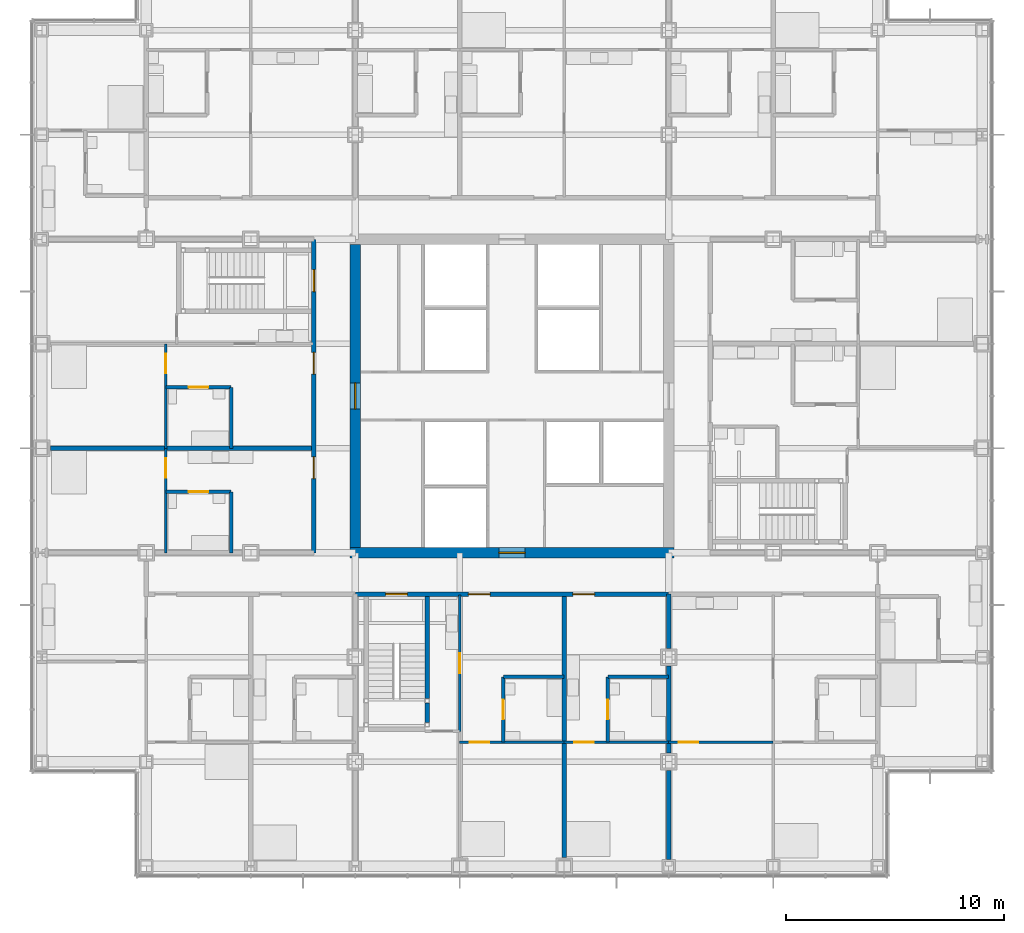
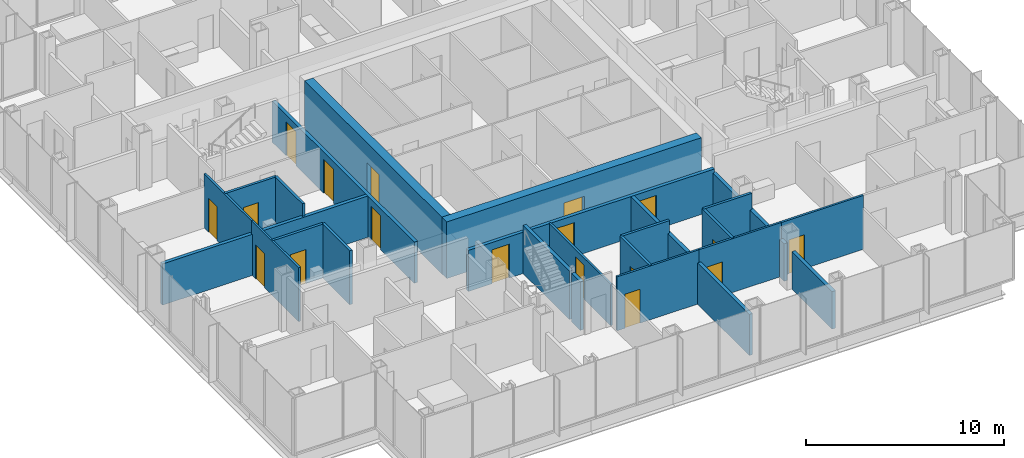
# One storey, part 14 of 21: 25 walls, 18 doors, 18 openings.
"""IFC4 building model written with IfcOpenShell, lengths in metres."""

import ifcopenshell
import ifcopenshell.guid

model = None  # the IFC model being written
_history = None  # IfcOwnerHistory: only IFC2X3 demands one
_inside = {}  # id of a spatial element -> (the spatial element, [elements in it])
_under = {}  # id of a project, library or spatial element -> (it, [spatial elements below it])
_declared = {}  # id of a project -> (the project, [libraries it declares])
_typed = {}  # id of a type object -> (the type object, [elements of that type])
_made_of = {}  # id of a material, layer set ... -> (it, [elements and type objects made of it])


def new_model(schema):
    """Start an empty IFC model of exactly this schema.

    Asked for "IFC4X3", IfcOpenShell would pick the latest addendum, in which some entities
    have other attributes; the version numbers below select the first issue.
    IFC2X3 requires an IfcOwnerHistory on every rooted entity: one is made here for all.
    """
    global model, _history
    if schema == "IFC4X3":
        model = ifcopenshell.file(schema_version=(4, 3, 0, 0))
    else:
        model = ifcopenshell.file(schema=schema)
    _inside.clear()
    _under.clear()
    _declared.clear()
    _typed.clear()
    _made_of.clear()
    _history = None
    if model.schema == "IFC2X3":
        org = make("IfcOrganization", Name="unknown")
        user = make(
            "IfcPersonAndOrganization",
            ThePerson=make("IfcPerson", FamilyName="unknown"),
            TheOrganization=org,
        )
        app = make(
            "IfcApplication",
            ApplicationDeveloper=org,
            Version="unknown",
            ApplicationFullName="unknown",
            ApplicationIdentifier="unknown",
        )
        _history = make(
            "IfcOwnerHistory",
            OwningUser=user,
            OwningApplication=app,
            ChangeAction="ADDED",
            CreationDate=0,
        )
    return model


def make(cls, **values):
    """One entity of the class cls with the attributes given. An attribute that is None is left unset."""
    return model.create_entity(
        cls, **{name: value for name, value in values.items() if value is not None}
    )


def rooted(cls, **values):
    """An entity with a GlobalId (a new one), such as an element, a storey or a relation."""
    return make(cls, GlobalId=ifcopenshell.guid.new(), OwnerHistory=_history, **values)


def si_unit(unit_type, name, prefix=None):
    """IfcSIUnit, for example si_unit("LENGTHUNIT", "METRE", prefix="MILLI")."""
    return make("IfcSIUnit", UnitType=unit_type, Prefix=prefix, Name=name)


def assignment(units):
    """IfcUnitAssignment: the units of a project."""
    return None if units is None else make("IfcUnitAssignment", Units=units)


def point(xyz):
    """IfcCartesianPoint."""
    return None if xyz is None else make("IfcCartesianPoint", Coordinates=xyz)


def direction(xyz):
    """IfcDirection."""
    return None if xyz is None else make("IfcDirection", DirectionRatios=xyz)


def frame(location, z_axis=None, x_axis=None):
    """IfcAxis2Placement3D, a coordinate frame: its origin and axes. An axis left out is left unset."""
    return make(
        "IfcAxis2Placement3D",
        Location=point(location),
        Axis=direction(z_axis),
        RefDirection=direction(x_axis),
    )


def frame_2d(location, x_axis=None):
    """IfcAxis2Placement2D, a coordinate frame in the plane: its origin and x axis."""
    return make(
        "IfcAxis2Placement2D", Location=point(location), RefDirection=direction(x_axis)
    )


def origin():
    """The frame at (0, 0, 0) with its axes left unset."""
    return frame((0.0, 0.0, 0.0))


def place(relative_to, where):
    """IfcLocalPlacement: puts the frame where relative to a parent placement (None: the world)."""
    return make(
        "IfcLocalPlacement", PlacementRelTo=relative_to, RelativePlacement=where
    )


def context(
    kind, dimensions, precision=None, world=None, true_north=None, identifier=None
):
    """IfcGeometricRepresentationContext, for example the 3D "Model" context."""
    return make(
        "IfcGeometricRepresentationContext",
        ContextIdentifier=identifier,
        ContextType=kind,
        CoordinateSpaceDimension=dimensions,
        Precision=precision,
        WorldCoordinateSystem=world,
        TrueNorth=true_north,
    )


def subcontext(parent, identifier, kind, view, scale=None):
    """IfcGeometricRepresentationSubContext, for example "Body" below "Model"."""
    return make(
        "IfcGeometricRepresentationSubContext",
        ContextIdentifier=identifier,
        ContextType=kind,
        ParentContext=parent,
        TargetScale=scale,
        TargetView=view,
    )


def project(units=None, contexts=None):
    """IfcProject with its units and contexts."""
    return rooted(
        "IfcProject",
        Name="project",
        RepresentationContexts=contexts,
        UnitsInContext=assignment(units),
    )


def spatial(cls, under=None, at=None, **own):
    """A site, building, storey or space (cls), placed at a placement, below another one or the project."""
    s = rooted(cls, ObjectPlacement=at, **own)
    if under is not None:
        _under.setdefault(under.id(), (under, []))[1].append(s)
    return s


def profile(cls, at=None, kind="AREA", **sizes):
    """A parametric profile (cls). Its sizes go by their IFC names, for example OverallWidth=200.0."""
    return make(cls, ProfileType=kind, Position=at, **sizes)


def rectangle(**sizes):
    """IfcRectangleProfileDef."""
    return profile("IfcRectangleProfileDef", **sizes)


def extrude(swept, where, along, depth):
    """IfcExtrudedAreaSolid: the profile swept, set in the frame where, extruded along a direction by depth."""
    return make(
        "IfcExtrudedAreaSolid",
        SweptArea=swept,
        Position=where,
        ExtrudedDirection=direction(along),
        Depth=depth,
    )


def shape(context_of_items, identifier, shape_type, items):
    """IfcShapeRepresentation: the items that make up one representation, for example the "Body"."""
    return make(
        "IfcShapeRepresentation",
        ContextOfItems=context_of_items,
        RepresentationIdentifier=identifier,
        RepresentationType=shape_type,
        Items=items,
    )


def material(Name=None, Category=None):
    """IfcMaterial."""
    return make("IfcMaterial", Name=Name, Category=Category)


def layer(
    of_material, thickness, ventilated=None, Name=None, Category=None, Priority=None
):
    """IfcMaterialLayer: one layer of a wall or slab, of a material (None: an air gap)."""
    return make(
        "IfcMaterialLayer",
        Material=of_material,
        LayerThickness=thickness,
        IsVentilated=ventilated,
        Name=Name,
        Category=Category,
        Priority=Priority,
    )


def layer_set(layers, Name=None):
    """IfcMaterialLayerSet."""
    return make("IfcMaterialLayerSet", MaterialLayers=layers, LayerSetName=Name)


def made_of(thing, what):
    """Note that an element or type object is made of a material, layer set ...; save() writes the relation."""
    if what is not None:
        _made_of.setdefault(what.id(), (what, []))[1].append(thing)
    return thing


def type_object(cls, material=None, **own):
    """A type object (cls), such as IfcWallType, which elements share."""
    return made_of(rooted(cls, **own), material)


def element(
    cls,
    number,
    at=None,
    inside=None,
    cuts=None,
    type_object=None,
    material=None,
    context=None,
    identifier="Body",
    shape_type=None,
    held_by="IfcProductDefinitionShape",
    body=None,
    shapes=None,
    **own,
):
    """One element of the class cls, such as IfcWall. Its Tag is "e" and its number.

    at: its placement. inside: the storey or other place that contains it. cuts: it is an
    opening in that element (IfcRelVoidsElement). A single representation is given by context,
    identifier, shape_type and body (its items); several are given by shapes. held_by: the class
    of the entity that holds the representations. save() writes the other relations.
    """
    e = rooted(cls, Tag="e%d" % number, ObjectPlacement=at, **own)
    if body is not None:
        shapes = [shape(context, identifier, shape_type, body)]
    if shapes is not None:
        e.Representation = make(held_by, Representations=shapes)
    if inside is not None:
        _inside.setdefault(inside.id(), (inside, []))[1].append(e)
    if cuts is not None:
        rooted(
            "IfcRelVoidsElement", RelatingBuildingElement=cuts, RelatedOpeningElement=e
        )
    if type_object is not None:
        _typed.setdefault(type_object.id(), (type_object, []))[1].append(e)
    return made_of(e, material)


def fill(opening, filler):
    """IfcRelFillsElement: the door or window that sits in an opening."""
    return rooted(
        "IfcRelFillsElement",
        RelatingOpeningElement=opening,
        RelatedBuildingElement=filler,
    )


def aggregate(whole, parts):
    """IfcRelAggregates: a whole, such as a stair, and the parts it consists of."""
    return rooted("IfcRelAggregates", RelatingObject=whole, RelatedObjects=parts)


def save(model, path):
    """Write the relations noted so far, then the file.

    IfcRelAggregates (storeys below a building ...), IfcRelContainedInSpatialStructure (elements
    in a storey), IfcRelDefinesByType, IfcRelAssociatesMaterial and IfcRelDeclares: one each for
    every whole, place, type object, material and project.
    """
    for whole, parts in _under.values():
        aggregate(whole, parts)
    for where, things in _inside.values():
        rooted(
            "IfcRelContainedInSpatialStructure",
            RelatedElements=things,
            RelatingStructure=where,
        )
    for kind, things in _typed.values():
        rooted("IfcRelDefinesByType", RelatedObjects=things, RelatingType=kind)
    for what, things in _made_of.values():
        rooted("IfcRelAssociatesMaterial", RelatedObjects=things, RelatingMaterial=what)
    for by, libraries in _declared.values():
        rooted("IfcRelDeclares", RelatingContext=by, RelatedDefinitions=libraries)
    model.write(path)


model = new_model("IFC4")

# Units and contexts
model_context = context("Model", 3, precision=1e-05, world=origin(), true_north=direction((0.0, 1.0)))
body_context = subcontext(model_context, "Body", "Model", "MODEL_VIEW")
ifc_project = project(units=[si_unit("LENGTHUNIT", "METRE"), si_unit("AREAUNIT", "SQUARE_METRE"), si_unit("VOLUMEUNIT", "CUBIC_METRE"), si_unit("PLANEANGLEUNIT", "RADIAN"), si_unit("MASSUNIT", "GRAM", prefix="KILO")], contexts=[model_context])

# Site, building, storey
site_placement = place(None, origin())
site = spatial("IfcSite", under=ifc_project, at=site_placement, CompositionType="ELEMENT")
building_placement = place(site_placement, origin())
building = spatial("IfcBuilding", under=site, at=building_placement, Name="Kvirike Care Tower", CompositionType="ELEMENT")
storey_placement = place(building_placement, frame((0.0, 0.0, 30.5)))
storey = spatial("IfcBuildingStorey", under=building, at=storey_placement, Name="L07", CompositionType="ELEMENT", Elevation=30.5)

# Wall, opening, door
ifc_material_1 = material(Name="Moisture-resistant board partition", Category="gypsum")
ifc_layer_1 = layer(ifc_material_1, 0.14990234375)
ifc_layer_set_1 = layer_set([ifc_layer_1], Name="BATHROOM WALL 150")
wall_type_1 = type_object("IfcWallType", Name="BATHROOM WALL 150", PredefinedType="PARTITIONING", material=ifc_layer_set_1)
wall_1_placement = place(storey_placement, frame((5.699951171875, 36.39990234375, 0.0), z_axis=(0.0, 0.0, 1.0), x_axis=(1.0, 0.0, 0.0)))
wall_1 = element("IfcWall", 1, at=wall_1_placement, inside=storey, type_object=wall_type_1, Name="Bathroom Wall 150 L07", PredefinedType="PARTITIONING", context=body_context, shape_type="SweptSolid", body=[
    extrude(rectangle(XDim=3.0, YDim=0.14990234375, at=frame_2d((1.5, 0.0))), origin(), (0.0, 0.0, 1.0), 3.330078125),
])
opening_1_placement = place(wall_1_placement, frame((1.050048828125, 0.0, 0.0)))
opening_1 = element("IfcOpeningElement", 2, at=opening_1_placement, cuts=wall_1, Name="Opening 07-009", PredefinedType="OPENING", context=body_context, shape_type="SweptSolid", body=[
    extrude(rectangle(XDim=0.89990234375, YDim=2.10009765625, at=frame_2d((0.449951171875, 1.050048828125))), frame((0.0, 0.08544921875, 0.0), z_axis=(0.0, -1.0, 0.0), x_axis=(1.0, 0.0, 0.0)), (0.0, 0.0, 1.0), 0.1708984375),
])
ifc_material_2 = material(Name="Timber door set", Category="wood")
door_type_1 = type_object("IfcDoorType", Name="BATHROOM DOOR 900", OperationType="SINGLE_SWING_RIGHT", PredefinedType="DOOR", material=ifc_material_2)
door_1_placement = place(opening_1_placement, frame((0.89990234375, 0.0, 0.0), z_axis=(0.0, 0.0, 1.0), x_axis=(-1.0, 0.0, 0.0)))
door_1 = element("IfcDoor", 3, at=door_1_placement, inside=storey, type_object=door_type_1, Name="Bathroom door", OperationType="SINGLE_SWING_LEFT", OverallHeight=2.10009765625, OverallWidth=0.89990234375, PredefinedType="DOOR", context=body_context, shape_type="SweptSolid", body=[
    extrude(rectangle(XDim=0.89990234375, YDim=2.10009765625, at=frame_2d((0.449951171875, 1.050048828125))), frame((0.0, 0.02197265625, 0.0), z_axis=(0.0, -1.0, 0.0), x_axis=(1.0, 0.0, 0.0)), (0.0, 0.0, 1.0), 0.0439453125),
])
fill(opening_1, door_1)

# Wall
wall_2_placement = place(storey_placement, frame((8.699951171875, 36.39990234375, 0.0), z_axis=(0.0, 0.0, 1.0), x_axis=(0.0, -1.0, 0.0)))
element("IfcWall", 4, at=wall_2_placement, inside=storey, type_object=wall_type_1, Name="Bathroom Wall 150 L07", PredefinedType="PARTITIONING", context=body_context, shape_type="SweptSolid", body=[
    extrude(rectangle(XDim=2.7998046875, YDim=0.14990234375, at=frame_2d((1.39990234375, 0.0))), origin(), (0.0, 0.0, 1.0), 3.330078125),
])

# Wall, opening, door
wall_3_placement = place(storey_placement, frame((5.699951171875, 31.60009765625, 0.0), z_axis=(0.0, 0.0, 1.0), x_axis=(1.0, 0.0, 0.0)))
wall_3 = element("IfcWall", 5, at=wall_3_placement, inside=storey, type_object=wall_type_1, Name="Bathroom Wall 150 L07", PredefinedType="PARTITIONING", context=body_context, shape_type="SweptSolid", body=[
    extrude(rectangle(XDim=3.0, YDim=0.14990234375, at=frame_2d((1.5, 0.0))), origin(), (0.0, 0.0, 1.0), 3.330078125),
])
opening_2_placement = place(wall_3_placement, frame((1.050048828125, 0.0, 0.0)))
opening_2 = element("IfcOpeningElement", 6, at=opening_2_placement, cuts=wall_3, Name="Opening 07-013", PredefinedType="OPENING", context=body_context, shape_type="SweptSolid", body=[
    extrude(rectangle(XDim=0.89990234375, YDim=2.10009765625, at=frame_2d((0.449951171875, 1.050048828125))), frame((0.0, 0.08544921875, 0.0), z_axis=(0.0, -1.0, 0.0), x_axis=(1.0, 0.0, 0.0)), (0.0, 0.0, 1.0), 0.1708984375),
])
door_2_placement = place(opening_2_placement, frame((0.89990234375, 0.0, 0.0), z_axis=(0.0, 0.0, 1.0), x_axis=(-1.0, 0.0, 0.0)))
door_2 = element("IfcDoor", 7, at=door_2_placement, inside=storey, type_object=door_type_1, Name="Bathroom door", OperationType="SINGLE_SWING_LEFT", OverallHeight=2.10009765625, OverallWidth=0.89990234375, PredefinedType="DOOR", context=body_context, shape_type="SweptSolid", body=[
    extrude(rectangle(XDim=0.89990234375, YDim=2.10009765625, at=frame_2d((0.449951171875, 1.050048828125))), frame((0.0, 0.02197265625, 0.0), z_axis=(0.0, -1.0, 0.0), x_axis=(1.0, 0.0, 0.0)), (0.0, 0.0, 1.0), 0.0439453125),
])
fill(opening_2, door_2)

# Wall
wall_4_placement = place(storey_placement, frame((8.699951171875, 31.60009765625, 0.0), z_axis=(0.0, 0.0, 1.0), x_axis=(0.0, -1.0, 0.0)))
element("IfcWall", 8, at=wall_4_placement, inside=storey, type_object=wall_type_1, Name="Bathroom Wall 150 L07", PredefinedType="PARTITIONING", context=body_context, shape_type="SweptSolid", body=[
    extrude(rectangle(XDim=2.800048828125, YDim=0.14990234375, at=frame_2d((1.39990234375, 0.0))), origin(), (0.0, 0.0, 1.0), 3.330078125),
])

# Wall, opening, door
wall_5_placement = place(storey_placement, frame((21.199951171875, 20.10009765625, 0.0), z_axis=(0.0, 0.0, 1.0), x_axis=(0.0, 1.0, 0.0)))
wall_5 = element("IfcWall", 9, at=wall_5_placement, inside=storey, type_object=wall_type_1, Name="Bathroom Wall 150 L07", PredefinedType="PARTITIONING", context=body_context, shape_type="SweptSolid", body=[
    extrude(rectangle(XDim=3.0, YDim=0.14990234375, at=frame_2d((1.5, 0.0))), origin(), (0.0, 0.0, 1.0), 3.330078125),
])
opening_3_placement = place(wall_5_placement, frame((1.050048828125, 0.0, 0.0)))
opening_3 = element("IfcOpeningElement", 10, at=opening_3_placement, cuts=wall_5, Name="Opening 07-026", PredefinedType="OPENING", context=body_context, shape_type="SweptSolid", body=[
    extrude(rectangle(XDim=0.89990234375, YDim=2.10009765625, at=frame_2d((0.449951171875, 1.050048828125))), frame((0.0, 0.08544921875, 0.0), z_axis=(0.0, -1.0, 0.0), x_axis=(1.0, 0.0, 0.0)), (0.0, 0.0, 1.0), 0.1708984375),
])
door_3_placement = place(opening_3_placement, frame((0.89990234375, 0.0, 0.0), z_axis=(0.0, 0.0, 1.0), x_axis=(-1.0, 0.0, 0.0)))
door_3 = element("IfcDoor", 11, at=door_3_placement, inside=storey, type_object=door_type_1, Name="Bathroom door", OperationType="SINGLE_SWING_RIGHT", OverallHeight=2.10009765625, OverallWidth=0.89990234375, PredefinedType="DOOR", context=body_context, shape_type="SweptSolid", body=[
    extrude(rectangle(XDim=0.89990234375, YDim=2.10009765625, at=frame_2d((0.449951171875, 1.050048828125))), frame((0.0, 0.02197265625, 0.0), z_axis=(0.0, -1.0, 0.0), x_axis=(1.0, 0.0, 0.0)), (0.0, 0.0, 1.0), 0.0439453125),
])
fill(opening_3, door_3)

# Wall
wall_6_placement = place(storey_placement, frame((21.199951171875, 23.10009765625, 0.0), z_axis=(0.0, 0.0, 1.0), x_axis=(1.0, 0.0, 0.0)))
element("IfcWall", 12, at=wall_6_placement, inside=storey, type_object=wall_type_1, Name="Bathroom Wall 150 L07", PredefinedType="PARTITIONING", context=body_context, shape_type="SweptSolid", body=[
    extrude(rectangle(XDim=2.800048828125, YDim=0.14990234375, at=frame_2d((1.39990234375, 0.0))), origin(), (0.0, 0.0, 1.0), 3.330078125),
])

# Wall, opening, door
wall_7_placement = place(storey_placement, frame((26.0, 20.10009765625, 0.0), z_axis=(0.0, 0.0, 1.0), x_axis=(0.0, 1.0, 0.0)))
wall_7 = element("IfcWall", 13, at=wall_7_placement, inside=storey, type_object=wall_type_1, Name="Bathroom Wall 150 L07", PredefinedType="PARTITIONING", context=body_context, shape_type="SweptSolid", body=[
    extrude(rectangle(XDim=3.0, YDim=0.14990234375, at=frame_2d((1.5, 0.0))), origin(), (0.0, 0.0, 1.0), 3.330078125),
])
opening_4_placement = place(wall_7_placement, frame((1.050048828125, 0.0, 0.0)))
opening_4 = element("IfcOpeningElement", 14, at=opening_4_placement, cuts=wall_7, Name="Opening 07-030", PredefinedType="OPENING", context=body_context, shape_type="SweptSolid", body=[
    extrude(rectangle(XDim=0.89990234375, YDim=2.10009765625, at=frame_2d((0.449951171875, 1.050048828125))), frame((0.0, 0.08544921875, 0.0), z_axis=(0.0, -1.0, 0.0), x_axis=(1.0, 0.0, 0.0)), (0.0, 0.0, 1.0), 0.1708984375),
])
door_4_placement = place(opening_4_placement, frame((0.89990234375, 0.0, 0.0), z_axis=(0.0, 0.0, 1.0), x_axis=(-1.0, 0.0, 0.0)))
door_4 = element("IfcDoor", 15, at=door_4_placement, inside=storey, type_object=door_type_1, Name="Bathroom door", OperationType="SINGLE_SWING_RIGHT", OverallHeight=2.10009765625, OverallWidth=0.89990234375, PredefinedType="DOOR", context=body_context, shape_type="SweptSolid", body=[
    extrude(rectangle(XDim=0.89990234375, YDim=2.10009765625, at=frame_2d((0.449951171875, 1.050048828125))), frame((0.0, 0.02197265625, 0.0), z_axis=(0.0, -1.0, 0.0), x_axis=(1.0, 0.0, 0.0)), (0.0, 0.0, 1.0), 0.0439453125),
])
fill(opening_4, door_4)

# Wall
wall_8_placement = place(storey_placement, frame((26.0, 23.10009765625, 0.0), z_axis=(0.0, 0.0, 1.0), x_axis=(1.0, 0.0, 0.0)))
element("IfcWall", 16, at=wall_8_placement, inside=storey, type_object=wall_type_1, Name="Bathroom Wall 150 L07", PredefinedType="PARTITIONING", context=body_context, shape_type="SweptSolid", body=[
    extrude(rectangle(XDim=2.800048828125, YDim=0.14990234375, at=frame_2d((1.39990234375, 0.0))), origin(), (0.0, 0.0, 1.0), 3.330078125),
])

# Wall, opening, door
ifc_material_3 = material(Name="Concrete C60/75", Category="concrete")
ifc_layer_2 = layer(ifc_material_3, 0.5)
ifc_layer_set_2 = layer_set([ifc_layer_2], Name="CORE WALL 500 C60-75")
wall_type_2 = type_object("IfcWallType", Name="CORE WALL 500 C60-75", PredefinedType="SHEAR", material=ifc_layer_set_2)
wall_9_placement = place(storey_placement, frame((14.14990234375, 28.800048828125, -0.169921875), z_axis=(0.0, 0.0, 1.0), x_axis=(1.0, 0.0, 0.0)))
wall_9 = element("IfcWall", 17, at=wall_9_placement, inside=storey, type_object=wall_type_2, Name="Core wall S L07", PredefinedType="SHEAR", context=body_context, shape_type="SweptSolid", body=[
    extrude(rectangle(XDim=14.900146484375, YDim=0.5, at=frame_2d((7.4501953125, 0.0))), origin(), (0.0, 0.0, 1.0), 3.5),
])
opening_5_placement = place(wall_9_placement, frame((6.85009765625, 0.0, 0.169921875)))
opening_5 = element("IfcOpeningElement", 18, at=opening_5_placement, cuts=wall_9, Name="Opening 07-079", PredefinedType="OPENING", context=body_context, shape_type="SweptSolid", body=[
    extrude(rectangle(XDim=1.199951171875, YDim=2.10009765625, at=frame_2d((0.60009765625, 1.050048828125))), frame((0.0, 0.260498046875, 0.0), z_axis=(0.0, -1.0, 0.0), x_axis=(1.0, 0.0, 0.0)), (0.0, 0.0, 1.0), 0.52099609375),
])
ifc_material_4 = material(Name="Timber door set", Category="wood")
door_type_2 = type_object("IfcDoorType", Name="CORE DOOR 1200", OperationType="SINGLE_SWING_LEFT", PredefinedType="DOOR", material=ifc_material_4)
door_5_placement = place(opening_5_placement, origin())
door_5 = element("IfcDoor", 19, at=door_5_placement, inside=storey, type_object=door_type_2, Name="Core door S L07", OperationType="SINGLE_SWING_LEFT", OverallHeight=2.10009765625, OverallWidth=1.199951171875, PredefinedType="DOOR", context=body_context, shape_type="SweptSolid", body=[
    extrude(rectangle(XDim=1.199951171875, YDim=2.10009765625, at=frame_2d((0.60009765625, 1.050048828125))), frame((0.0, 0.02685546875, 0.0), z_axis=(0.0, -1.0, 0.0), x_axis=(1.0, 0.0, 0.0)), (0.0, 0.0, 1.0), 0.053955078125),
])
fill(opening_5, door_5)

wall_10_placement = place(storey_placement, frame((14.39990234375, 42.949951171875, -0.169921875), z_axis=(0.0, 0.0, 1.0), x_axis=(0.0, -1.0, 0.0)))
wall_10 = element("IfcWall", 20, at=wall_10_placement, inside=storey, type_object=wall_type_2, Name="Core wall W L07", PredefinedType="SHEAR", context=body_context, shape_type="SweptSolid", body=[
    extrude(rectangle(XDim=13.89990234375, YDim=0.5, at=frame_2d((6.949951171875, 0.0))), origin(), (0.0, 0.0, 1.0), 3.5),
])
opening_6_placement = place(wall_10_placement, frame((6.35009765625, 0.0, 0.169921875)))
opening_6 = element("IfcOpeningElement", 21, at=opening_6_placement, cuts=wall_10, Name="Opening 07-080", PredefinedType="OPENING", context=body_context, shape_type="SweptSolid", body=[
    extrude(rectangle(XDim=1.199951171875, YDim=2.10009765625, at=frame_2d((0.60009765625, 1.050048828125))), frame((0.0, 0.260498046875, 0.0), z_axis=(0.0, -1.0, 0.0), x_axis=(1.0, 0.0, 0.0)), (0.0, 0.0, 1.0), 0.52099609375),
])
door_6_placement = place(opening_6_placement, origin())
door_6 = element("IfcDoor", 22, at=door_6_placement, inside=storey, type_object=door_type_2, Name="Core door W L07", OperationType="SINGLE_SWING_LEFT", OverallHeight=2.10009765625, OverallWidth=1.199951171875, PredefinedType="DOOR", context=body_context, shape_type="SweptSolid", body=[
    extrude(rectangle(XDim=1.199951171875, YDim=2.10009765625, at=frame_2d((0.60009765625, 1.050048828125))), frame((0.0, 0.02685546875, 0.0), z_axis=(0.0, -1.0, 0.0), x_axis=(1.0, 0.0, 0.0)), (0.0, 0.0, 1.0), 0.053955078125),
])
fill(opening_6, door_6)

# Wall, openings, doors
ifc_material_5 = material(Name="Plasterboard corridor wall", Category="gypsum")
ifc_layer_3 = layer(ifc_material_5, 0.199951171875)
ifc_layer_set_3 = layer_set([ifc_layer_3], Name="CORRIDOR WALL 200")
wall_type_3 = type_object("IfcWallType", Name="CORRIDOR WALL 200", PredefinedType="PARTITIONING", material=ifc_layer_set_3)
wall_11_placement = place(storey_placement, frame((12.5, 43.199951171875, 0.0), z_axis=(0.0, 0.0, 1.0), x_axis=(0.0, -1.0, 0.0)))
wall_11 = element("IfcWall", 23, at=wall_11_placement, inside=storey, type_object=wall_type_3, Name="Corridor Wall 200 L07", PredefinedType="PARTITIONING", context=body_context, shape_type="SweptSolid", body=[
    extrude(rectangle(XDim=14.39990234375, YDim=0.199951171875, at=frame_2d((7.199951171875, 0.0))), origin(), (0.0, 0.0, 1.0), 2.550048828125),
])
opening_7_placement = place(wall_11_placement, frame((1.39990234375, 0.0, 0.0)))
opening_7 = element("IfcOpeningElement", 24, at=opening_7_placement, cuts=wall_11, Name="Opening 07-015", PredefinedType="OPENING", context=body_context, shape_type="SweptSolid", body=[
    extrude(rectangle(XDim=1.0, YDim=2.10009765625, at=frame_2d((0.5, 1.050048828125))), frame((0.0, 0.110595703125, 0.0), z_axis=(0.0, -1.0, 0.0), x_axis=(1.0, 0.0, 0.0)), (0.0, 0.0, 1.0), 0.220947265625),
])
opening_8_placement = place(wall_11_placement, frame((5.199951171875, 0.0, 0.0)))
opening_8 = element("IfcOpeningElement", 25, at=opening_8_placement, cuts=wall_11, Name="Opening 07-016", PredefinedType="OPENING", context=body_context, shape_type="SweptSolid", body=[
    extrude(rectangle(XDim=1.0, YDim=2.10009765625, at=frame_2d((0.5, 1.050048828125))), frame((0.0, 0.110595703125, 0.0), z_axis=(0.0, -1.0, 0.0), x_axis=(1.0, 0.0, 0.0)), (0.0, 0.0, 1.0), 0.220947265625),
])
opening_9_placement = place(wall_11_placement, frame((10.0, 0.0, 0.0)))
opening_9 = element("IfcOpeningElement", 26, at=opening_9_placement, cuts=wall_11, Name="Opening 07-017", PredefinedType="OPENING", context=body_context, shape_type="SweptSolid", body=[
    extrude(rectangle(XDim=1.0, YDim=2.10009765625, at=frame_2d((0.5, 1.050048828125))), frame((0.0, 0.110595703125, 0.0), z_axis=(0.0, -1.0, 0.0), x_axis=(1.0, 0.0, 0.0)), (0.0, 0.0, 1.0), 0.220947265625),
])
ifc_material_6 = material(Name="Timber door set", Category="wood")
door_type_3 = type_object("IfcDoorType", Name="FLAT ENTRANCE DOOR 1000", OperationType="SINGLE_SWING_LEFT", PredefinedType="DOOR", material=ifc_material_6)
door_7_placement = place(opening_8_placement, frame((1.0, 0.0, 0.0), z_axis=(0.0, 0.0, 1.0), x_axis=(-1.0, 0.0, 0.0)))
door_7 = element("IfcDoor", 27, at=door_7_placement, inside=storey, type_object=door_type_3, Name="One-bedroom apartment entrance", OperationType="SINGLE_SWING_LEFT", OverallHeight=2.10009765625, OverallWidth=1.0, PredefinedType="DOOR", context=body_context, shape_type="SweptSolid", body=[
    extrude(rectangle(XDim=1.0, YDim=2.10009765625, at=frame_2d((0.5, 1.050048828125))), frame((0.0, 0.02685546875, 0.0), z_axis=(0.0, -1.0, 0.0), x_axis=(1.0, 0.0, 0.0)), (0.0, 0.0, 1.0), 0.053955078125),
])
fill(opening_8, door_7)
door_8_placement = place(opening_9_placement, frame((1.0, 0.0, 0.0), z_axis=(0.0, 0.0, 1.0), x_axis=(-1.0, 0.0, 0.0)))
door_8 = element("IfcDoor", 28, at=door_8_placement, inside=storey, type_object=door_type_3, Name="Studio apartment entrance", OperationType="SINGLE_SWING_LEFT", OverallHeight=2.10009765625, OverallWidth=1.0, PredefinedType="DOOR", context=body_context, shape_type="SweptSolid", body=[
    extrude(rectangle(XDim=1.0, YDim=2.10009765625, at=frame_2d((0.5, 1.050048828125))), frame((0.0, 0.02685546875, 0.0), z_axis=(0.0, -1.0, 0.0), x_axis=(1.0, 0.0, 0.0)), (0.0, 0.0, 1.0), 0.053955078125),
])
fill(opening_9, door_8)
ifc_material_7 = material(Name="Timber door set", Category="wood")
door_type_4 = type_object("IfcDoorType", Name="STAIR DOOR 1000", OperationType="SINGLE_SWING_LEFT", PredefinedType="DOOR", material=ifc_material_7)
door_9_placement = place(opening_7_placement, frame((1.0, 0.0, 0.0), z_axis=(0.0, 0.0, 1.0), x_axis=(-1.0, 0.0, 0.0)))
door_9 = element("IfcDoor", 29, at=door_9_placement, inside=storey, type_object=door_type_4, Name="Stair 1 door", OperationType="SINGLE_SWING_RIGHT", OverallHeight=2.10009765625, OverallWidth=1.0, PredefinedType="DOOR", context=body_context, shape_type="SweptSolid", body=[
    extrude(rectangle(XDim=1.0, YDim=2.10009765625, at=frame_2d((0.5, 1.050048828125))), frame((0.0, 0.031982421875, 0.0), z_axis=(0.0, -1.0, 0.0), x_axis=(1.0, 0.0, 0.0)), (0.0, 0.0, 1.0), 0.06396484375),
])
fill(opening_7, door_9)

wall_12_placement = place(storey_placement, frame((14.39990234375, 26.89990234375, 0.0), z_axis=(0.0, 0.0, 1.0), x_axis=(1.0, 0.0, 0.0)))
wall_12 = element("IfcWall", 30, at=wall_12_placement, inside=storey, type_object=wall_type_3, Name="Corridor Wall 200 L07", PredefinedType="PARTITIONING", context=body_context, shape_type="SweptSolid", body=[
    extrude(rectangle(XDim=14.400146484375, YDim=0.199951171875, at=frame_2d((7.2001953125, 0.0))), origin(), (0.0, 0.0, 1.0), 2.550048828125),
])
opening_10_placement = place(wall_12_placement, frame((1.39990234375, 0.0, 0.0)))
opening_10 = element("IfcOpeningElement", 31, at=opening_10_placement, cuts=wall_12, Name="Opening 07-032", PredefinedType="OPENING", context=body_context, shape_type="SweptSolid", body=[
    extrude(rectangle(XDim=1.0, YDim=2.10009765625, at=frame_2d((0.5, 1.050048828125))), frame((0.0, 0.110595703125, 0.0), z_axis=(0.0, -1.0, 0.0), x_axis=(1.0, 0.0, 0.0)), (0.0, 0.0, 1.0), 0.220947265625),
])
opening_11_placement = place(wall_12_placement, frame((5.199951171875, 0.0, 0.0)))
opening_11 = element("IfcOpeningElement", 32, at=opening_11_placement, cuts=wall_12, Name="Opening 07-033", PredefinedType="OPENING", context=body_context, shape_type="SweptSolid", body=[
    extrude(rectangle(XDim=1.0, YDim=2.10009765625, at=frame_2d((0.5, 1.050048828125))), frame((0.0, 0.110595703125, 0.0), z_axis=(0.0, -1.0, 0.0), x_axis=(1.0, 0.0, 0.0)), (0.0, 0.0, 1.0), 0.220947265625),
])
opening_12_placement = place(wall_12_placement, frame((10.0, 0.0, 0.0)))
opening_12 = element("IfcOpeningElement", 33, at=opening_12_placement, cuts=wall_12, Name="Opening 07-034", PredefinedType="OPENING", context=body_context, shape_type="SweptSolid", body=[
    extrude(rectangle(XDim=1.0, YDim=2.10009765625, at=frame_2d((0.5, 1.050048828125))), frame((0.0, 0.110595703125, 0.0), z_axis=(0.0, -1.0, 0.0), x_axis=(1.0, 0.0, 0.0)), (0.0, 0.0, 1.0), 0.220947265625),
])
door_10_placement = place(opening_11_placement, frame((1.0, 0.0, 0.0), z_axis=(0.0, 0.0, 1.0), x_axis=(-1.0, 0.0, 0.0)))
door_10 = element("IfcDoor", 34, at=door_10_placement, inside=storey, type_object=door_type_3, Name="One-bedroom apartment entrance", OperationType="SINGLE_SWING_LEFT", OverallHeight=2.10009765625, OverallWidth=1.0, PredefinedType="DOOR", context=body_context, shape_type="SweptSolid", body=[
    extrude(rectangle(XDim=1.0, YDim=2.10009765625, at=frame_2d((0.5, 1.050048828125))), frame((0.0, 0.02685546875, 0.0), z_axis=(0.0, -1.0, 0.0), x_axis=(1.0, 0.0, 0.0)), (0.0, 0.0, 1.0), 0.053955078125),
])
fill(opening_11, door_10)
door_11_placement = place(opening_12_placement, frame((1.0, 0.0, 0.0), z_axis=(0.0, 0.0, 1.0), x_axis=(-1.0, 0.0, 0.0)))
door_11 = element("IfcDoor", 35, at=door_11_placement, inside=storey, type_object=door_type_3, Name="Studio apartment entrance", OperationType="SINGLE_SWING_LEFT", OverallHeight=2.10009765625, OverallWidth=1.0, PredefinedType="DOOR", context=body_context, shape_type="SweptSolid", body=[
    extrude(rectangle(XDim=1.0, YDim=2.10009765625, at=frame_2d((0.5, 1.050048828125))), frame((0.0, 0.02685546875, 0.0), z_axis=(0.0, -1.0, 0.0), x_axis=(1.0, 0.0, 0.0)), (0.0, 0.0, 1.0), 0.053955078125),
])
fill(opening_12, door_11)
door_12_placement = place(opening_10_placement, frame((1.0, 0.0, 0.0), z_axis=(0.0, 0.0, 1.0), x_axis=(-1.0, 0.0, 0.0)))
door_12 = element("IfcDoor", 36, at=door_12_placement, inside=storey, type_object=door_type_4, Name="Stair 5 door", OperationType="SINGLE_SWING_RIGHT", OverallHeight=2.10009765625, OverallWidth=1.0, PredefinedType="DOOR", context=body_context, shape_type="SweptSolid", body=[
    extrude(rectangle(XDim=1.0, YDim=2.10009765625, at=frame_2d((0.5, 1.050048828125))), frame((0.0, 0.031982421875, 0.0), z_axis=(0.0, -1.0, 0.0), x_axis=(1.0, 0.0, 0.0)), (0.0, 0.0, 1.0), 0.06396484375),
])
fill(opening_10, door_12)

# Wall, opening, door
ifc_material_8 = material(Name="Plasterboard partition", Category="gypsum")
ifc_layer_4 = layer(ifc_material_8, 0.1201171875)
ifc_layer_set_4 = layer_set([ifc_layer_4], Name="PARTITION 120")
wall_type_4 = type_object("IfcWallType", Name="PARTITION 120", PredefinedType="PARTITIONING", material=ifc_layer_set_4)
wall_13_placement = place(storey_placement, frame((5.699951171875, 38.39990234375, 0.0), z_axis=(0.0, 0.0, 1.0), x_axis=(0.0, -1.0, 0.0)))
wall_13 = element("IfcWall", 37, at=wall_13_placement, inside=storey, type_object=wall_type_4, Name="Partition 120 L07", PredefinedType="PARTITIONING", context=body_context, shape_type="SweptSolid", body=[
    extrude(rectangle(XDim=4.7998046875, YDim=0.1201171875, at=frame_2d((2.39990234375, 0.0))), origin(), (0.0, 0.0, 1.0), 3.330078125),
])
opening_13_placement = place(wall_13_placement, frame((0.449951171875, 0.0, 0.0)))
opening_13 = element("IfcOpeningElement", 38, at=opening_13_placement, cuts=wall_13, Name="Opening 07-012", PredefinedType="OPENING", context=body_context, shape_type="SweptSolid", body=[
    extrude(rectangle(XDim=0.89990234375, YDim=2.10009765625, at=frame_2d((0.449951171875, 1.050048828125))), frame((0.0, 0.070556640625, 0.0), z_axis=(0.0, -1.0, 0.0), x_axis=(1.0, 0.0, 0.0)), (0.0, 0.0, 1.0), 0.14111328125),
])
ifc_material_9 = material(Name="Timber door set", Category="wood")
door_type_5 = type_object("IfcDoorType", Name="INTERNAL DOOR 900", OperationType="SINGLE_SWING_LEFT", PredefinedType="DOOR", material=ifc_material_9)
door_13_placement = place(opening_13_placement, origin())
door_13 = element("IfcDoor", 39, at=door_13_placement, inside=storey, type_object=door_type_5, Name="Apartment bedroom door", OperationType="SINGLE_SWING_RIGHT", OverallHeight=2.10009765625, OverallWidth=0.89990234375, PredefinedType="DOOR", context=body_context, shape_type="SweptSolid", body=[
    extrude(rectangle(XDim=0.89990234375, YDim=2.10009765625, at=frame_2d((0.449951171875, 1.050048828125))), frame((0.0, 0.02197265625, 0.0), z_axis=(0.0, -1.0, 0.0), x_axis=(1.0, 0.0, 0.0)), (0.0, 0.0, 1.0), 0.0439453125),
])
fill(opening_13, door_13)

wall_14_placement = place(storey_placement, frame((5.699951171875, 33.60009765625, 0.0), z_axis=(0.0, 0.0, 1.0), x_axis=(0.0, -1.0, 0.0)))
wall_14 = element("IfcWall", 40, at=wall_14_placement, inside=storey, type_object=wall_type_4, Name="Partition 120 L07", PredefinedType="PARTITIONING", context=body_context, shape_type="SweptSolid", body=[
    extrude(rectangle(XDim=4.800048828125, YDim=0.1201171875, at=frame_2d((2.39990234375, 0.0))), origin(), (0.0, 0.0, 1.0), 3.330078125),
])
opening_14_placement = place(wall_14_placement, frame((0.449951171875, 0.0, 0.0)))
opening_14 = element("IfcOpeningElement", 41, at=opening_14_placement, cuts=wall_14, Name="Opening 07-014", PredefinedType="OPENING", context=body_context, shape_type="SweptSolid", body=[
    extrude(rectangle(XDim=0.89990234375, YDim=2.10009765625, at=frame_2d((0.449951171875, 1.050048828125))), frame((0.0, 0.070556640625, 0.0), z_axis=(0.0, -1.0, 0.0), x_axis=(1.0, 0.0, 0.0)), (0.0, 0.0, 1.0), 0.14111328125),
])
door_14_placement = place(opening_14_placement, origin())
door_14 = element("IfcDoor", 42, at=door_14_placement, inside=storey, type_object=door_type_5, Name="Studio apartment living room door", OperationType="SINGLE_SWING_RIGHT", OverallHeight=2.10009765625, OverallWidth=0.89990234375, PredefinedType="DOOR", context=body_context, shape_type="SweptSolid", body=[
    extrude(rectangle(XDim=0.89990234375, YDim=2.10009765625, at=frame_2d((0.449951171875, 1.050048828125))), frame((0.0, 0.02197265625, 0.0), z_axis=(0.0, -1.0, 0.0), x_axis=(1.0, 0.0, 0.0)), (0.0, 0.0, 1.0), 0.0439453125),
])
fill(opening_14, door_14)

wall_15_placement = place(storey_placement, frame((19.199951171875, 20.60009765625, 0.0), z_axis=(0.0, 0.0, 1.0), x_axis=(0.0, 1.0, 0.0)))
wall_15 = element("IfcWall", 43, at=wall_15_placement, inside=storey, type_object=wall_type_4, Name="Partition 120 L07", PredefinedType="PARTITIONING", context=body_context, shape_type="SweptSolid", body=[
    extrude(rectangle(XDim=6.25, YDim=0.1201171875, at=frame_2d((3.125, 0.0))), origin(), (0.0, 0.0, 1.0), 2.550048828125),
])
opening_15_placement = place(wall_15_placement, frame((2.675048828125, 0.0, 0.0)))
opening_15 = element("IfcOpeningElement", 44, at=opening_15_placement, cuts=wall_15, Name="Opening 07-027", PredefinedType="OPENING", context=body_context, shape_type="SweptSolid", body=[
    extrude(rectangle(XDim=0.89990234375, YDim=2.10009765625, at=frame_2d((0.449951171875, 1.050048828125))), frame((0.0, 0.070556640625, 0.0), z_axis=(0.0, -1.0, 0.0), x_axis=(1.0, 0.0, 0.0)), (0.0, 0.0, 1.0), 0.14111328125),
])
door_15_placement = place(opening_15_placement, origin())
door_15 = element("IfcDoor", 45, at=door_15_placement, inside=storey, type_object=door_type_5, Name="Hall door", OperationType="SINGLE_SWING_RIGHT", OverallHeight=2.10009765625, OverallWidth=0.89990234375, PredefinedType="DOOR", context=body_context, shape_type="SweptSolid", body=[
    extrude(rectangle(XDim=0.89990234375, YDim=2.10009765625, at=frame_2d((0.449951171875, 1.050048828125))), frame((0.0, 0.02197265625, 0.0), z_axis=(0.0, -1.0, 0.0), x_axis=(1.0, 0.0, 0.0)), (0.0, 0.0, 1.0), 0.0439453125),
])
fill(opening_15, door_15)

wall_16_placement = place(storey_placement, frame((19.199951171875, 20.10009765625, 0.0), z_axis=(0.0, 0.0, 1.0), x_axis=(1.0, 0.0, 0.0)))
wall_16 = element("IfcWall", 46, at=wall_16_placement, inside=storey, type_object=wall_type_4, Name="Partition 120 L07", PredefinedType="PARTITIONING", context=body_context, shape_type="SweptSolid", body=[
    extrude(rectangle(XDim=4.800048828125, YDim=0.1201171875, at=frame_2d((2.39990234375, 0.0))), origin(), (0.0, 0.0, 1.0), 3.330078125),
])
opening_16_placement = place(wall_16_placement, frame((0.449951171875, 0.0, 0.0)))
opening_16 = element("IfcOpeningElement", 47, at=opening_16_placement, cuts=wall_16, Name="Opening 07-029", PredefinedType="OPENING", context=body_context, shape_type="SweptSolid", body=[
    extrude(rectangle(XDim=0.89990234375, YDim=2.10009765625, at=frame_2d((0.449951171875, 1.050048828125))), frame((0.0, 0.070556640625, 0.0), z_axis=(0.0, -1.0, 0.0), x_axis=(1.0, 0.0, 0.0)), (0.0, 0.0, 1.0), 0.14111328125),
])
door_16_placement = place(opening_16_placement, origin())
door_16 = element("IfcDoor", 48, at=door_16_placement, inside=storey, type_object=door_type_5, Name="Apartment bedroom door", OperationType="SINGLE_SWING_RIGHT", OverallHeight=2.10009765625, OverallWidth=0.89990234375, PredefinedType="DOOR", context=body_context, shape_type="SweptSolid", body=[
    extrude(rectangle(XDim=0.89990234375, YDim=2.10009765625, at=frame_2d((0.449951171875, 1.050048828125))), frame((0.0, 0.02197265625, 0.0), z_axis=(0.0, -1.0, 0.0), x_axis=(1.0, 0.0, 0.0)), (0.0, 0.0, 1.0), 0.0439453125),
])
fill(opening_16, door_16)

wall_17_placement = place(storey_placement, frame((24.0, 20.10009765625, 0.0), z_axis=(0.0, 0.0, 1.0), x_axis=(1.0, 0.0, 0.0)))
wall_17 = element("IfcWall", 49, at=wall_17_placement, inside=storey, type_object=wall_type_4, Name="Partition 120 L07", PredefinedType="PARTITIONING", context=body_context, shape_type="SweptSolid", body=[
    extrude(rectangle(XDim=4.800048828125, YDim=0.1201171875, at=frame_2d((2.39990234375, 0.0))), origin(), (0.0, 0.0, 1.0), 3.330078125),
])
opening_17_placement = place(wall_17_placement, frame((0.449951171875, 0.0, 0.0)))
opening_17 = element("IfcOpeningElement", 50, at=opening_17_placement, cuts=wall_17, Name="Opening 07-031", PredefinedType="OPENING", context=body_context, shape_type="SweptSolid", body=[
    extrude(rectangle(XDim=0.89990234375, YDim=2.10009765625, at=frame_2d((0.449951171875, 1.050048828125))), frame((0.0, 0.070556640625, 0.0), z_axis=(0.0, -1.0, 0.0), x_axis=(1.0, 0.0, 0.0)), (0.0, 0.0, 1.0), 0.14111328125),
])
door_17_placement = place(opening_17_placement, origin())
door_17 = element("IfcDoor", 51, at=door_17_placement, inside=storey, type_object=door_type_5, Name="Studio apartment living room door", OperationType="SINGLE_SWING_RIGHT", OverallHeight=2.10009765625, OverallWidth=0.89990234375, PredefinedType="DOOR", context=body_context, shape_type="SweptSolid", body=[
    extrude(rectangle(XDim=0.89990234375, YDim=2.10009765625, at=frame_2d((0.449951171875, 1.050048828125))), frame((0.0, 0.02197265625, 0.0), z_axis=(0.0, -1.0, 0.0), x_axis=(1.0, 0.0, 0.0)), (0.0, 0.0, 1.0), 0.0439453125),
])
fill(opening_17, door_17)

wall_18_placement = place(storey_placement, frame((28.800048828125, 20.10009765625, 0.0), z_axis=(0.0, 0.0, 1.0), x_axis=(1.0, 0.0, 0.0)))
wall_18 = element("IfcWall", 52, at=wall_18_placement, inside=storey, type_object=wall_type_4, Name="Partition 120 L07", PredefinedType="PARTITIONING", context=body_context, shape_type="SweptSolid", body=[
    extrude(rectangle(XDim=4.800048828125, YDim=0.1201171875, at=frame_2d((2.39990234375, 0.0))), origin(), (0.0, 0.0, 1.0), 3.330078125),
])
opening_18_placement = place(wall_18_placement, frame((0.449951171875, 0.0, 0.0)))
opening_18 = element("IfcOpeningElement", 53, at=opening_18_placement, cuts=wall_18, Name="Opening 07-045", PredefinedType="OPENING", context=body_context, shape_type="SweptSolid", body=[
    extrude(rectangle(XDim=0.89990234375, YDim=2.10009765625, at=frame_2d((0.449951171875, 1.050048828125))), frame((0.0, 0.070556640625, 0.0), z_axis=(0.0, -1.0, 0.0), x_axis=(1.0, 0.0, 0.0)), (0.0, 0.0, 1.0), 0.14111328125),
])
door_18_placement = place(opening_18_placement, frame((0.89990234375, 0.0, 0.0), z_axis=(0.0, 0.0, 1.0), x_axis=(-1.0, 0.0, 0.0)))
door_18 = element("IfcDoor", 54, at=door_18_placement, inside=storey, type_object=door_type_5, Name="Apartment living room door", OperationType="SINGLE_SWING_RIGHT", OverallHeight=2.10009765625, OverallWidth=0.89990234375, PredefinedType="DOOR", context=body_context, shape_type="SweptSolid", body=[
    extrude(rectangle(XDim=0.89990234375, YDim=2.10009765625, at=frame_2d((0.449951171875, 1.050048828125))), frame((0.0, 0.02197265625, 0.0), z_axis=(0.0, -1.0, 0.0), x_axis=(1.0, 0.0, 0.0)), (0.0, 0.0, 1.0), 0.0439453125),
])
fill(opening_18, door_18)

# Walls
ifc_material_10 = material(Name="Plasterboard party wall", Category="gypsum")
ifc_layer_5 = layer(ifc_material_10, 0.199951171875)
ifc_layer_set_5 = layer_set([ifc_layer_5], Name="PARTY WALL 200")
wall_type_5 = type_object("IfcWallType", Name="PARTY WALL 200", PredefinedType="PARTITIONING", material=ifc_layer_set_5)
wall_19_placement = place(storey_placement, frame((0.39501953125, 33.60009765625, 0.0), z_axis=(0.0, 0.0, 1.0), x_axis=(1.0, 0.0, 0.0)))
element("IfcWall", 55, at=wall_19_placement, inside=storey, type_object=wall_type_5, Name="Party Wall 200 L07", PredefinedType="PARTITIONING", context=body_context, shape_type="SweptSolid", body=[
    extrude(rectangle(XDim=12.0048828125, YDim=0.199951171875, at=frame_2d((6.00244140625, 0.0))), origin(), (0.0, 0.0, 1.0), 2.550048828125),
])
wall_20_placement = place(storey_placement, frame((24.0, 14.794921875, 0.0), z_axis=(0.0, 0.0, 1.0), x_axis=(0.0, 1.0, 0.0)))
element("IfcWall", 56, at=wall_20_placement, inside=storey, type_object=wall_type_5, Name="Party Wall 200 L07", PredefinedType="PARTITIONING", context=body_context, shape_type="SweptSolid", body=[
    extrude(rectangle(XDim=12.005126953125, YDim=0.199951171875, at=frame_2d((6.00244140625, 0.0))), origin(), (0.0, 0.0, 1.0), 2.550048828125),
])
wall_21_placement = place(storey_placement, frame((28.800048828125, 14.719970703125, 0.0), z_axis=(0.0, 0.0, 1.0), x_axis=(0.0, 1.0, 0.0)))
element("IfcWall", 57, at=wall_21_placement, inside=storey, type_object=wall_type_5, Name="Party Wall 200 L07", PredefinedType="PARTITIONING", context=body_context, shape_type="SweptSolid", body=[
    extrude(rectangle(XDim=4.0849609375, YDim=0.199951171875, at=frame_2d((2.04248046875, 0.0))), origin(), (0.0, 0.0, 1.0), 2.320068359375),
])
wall_22_placement = place(storey_placement, frame((28.800048828125, 19.594970703125, 0.0), z_axis=(0.0, 0.0, 1.0), x_axis=(0.0, 1.0, 0.0)))
element("IfcWall", 58, at=wall_22_placement, inside=storey, type_object=wall_type_5, Name="Party Wall 200 L07", PredefinedType="PARTITIONING", context=body_context, shape_type="SweptSolid", body=[
    extrude(rectangle(XDim=4.010009765625, YDim=0.199951171875, at=frame_2d((2.0048828125, 0.0))), origin(), (0.0, 0.0, 1.0), 2.320068359375),
])
wall_23_placement = place(storey_placement, frame((28.800048828125, 24.39501953125, 0.0), z_axis=(0.0, 0.0, 1.0), x_axis=(0.0, 1.0, 0.0)))
element("IfcWall", 59, at=wall_23_placement, inside=storey, type_object=wall_type_5, Name="Party Wall 200 L07", PredefinedType="PARTITIONING", context=body_context, shape_type="SweptSolid", body=[
    extrude(rectangle(XDim=2.5048828125, YDim=0.199951171875, at=frame_2d((1.25244140625, 0.0))), origin(), (0.0, 0.0, 1.0), 2.320068359375),
])
ifc_material_11 = material(Name="Concrete C40/50", Category="concrete")
ifc_layer_6 = layer(ifc_material_11, 0.199951171875)
ifc_layer_set_6 = layer_set([ifc_layer_6], Name="STAIR WALL 200")
wall_type_6 = type_object("IfcWallType", Name="STAIR WALL 200", PredefinedType="SOLIDWALL", material=ifc_layer_set_6)
wall_24_placement = place(storey_placement, frame((17.699951171875, 21.0, 0.0), z_axis=(0.0, 0.0, 1.0), x_axis=(0.0, 1.0, 0.0)))
element("IfcWall", 60, at=wall_24_placement, inside=storey, type_object=wall_type_6, Name="Stair Wall 200 L07", PredefinedType="SOLIDWALL", context=body_context, shape_type="SweptSolid", body=[
    extrude(rectangle(XDim=0.89990234375, YDim=0.199951171875, at=frame_2d((0.449951171875, 0.0))), origin(), (0.0, 0.0, 1.0), 2.989990234375),
])
wall_25_placement = place(storey_placement, frame((17.699951171875, 22.10009765625, 0.0), z_axis=(0.0, 0.0, 1.0), x_axis=(0.0, 1.0, 0.0)))
element("IfcWall", 61, at=wall_25_placement, inside=storey, type_object=wall_type_6, Name="Stair Wall 200 L07", PredefinedType="SOLIDWALL", context=body_context, shape_type="SweptSolid", body=[
    extrude(rectangle(XDim=4.699951171875, YDim=0.199951171875, at=frame_2d((2.35009765625, 0.0))), origin(), (0.0, 0.0, 1.0), 2.989990234375),
])

save(model, "model.ifc")
